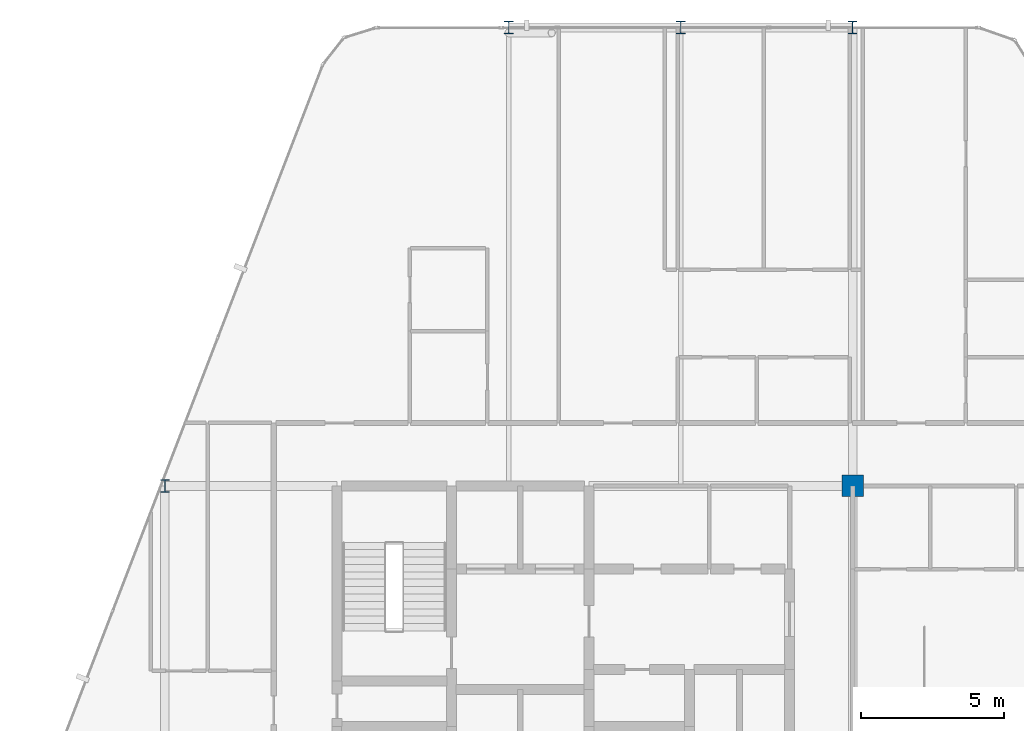
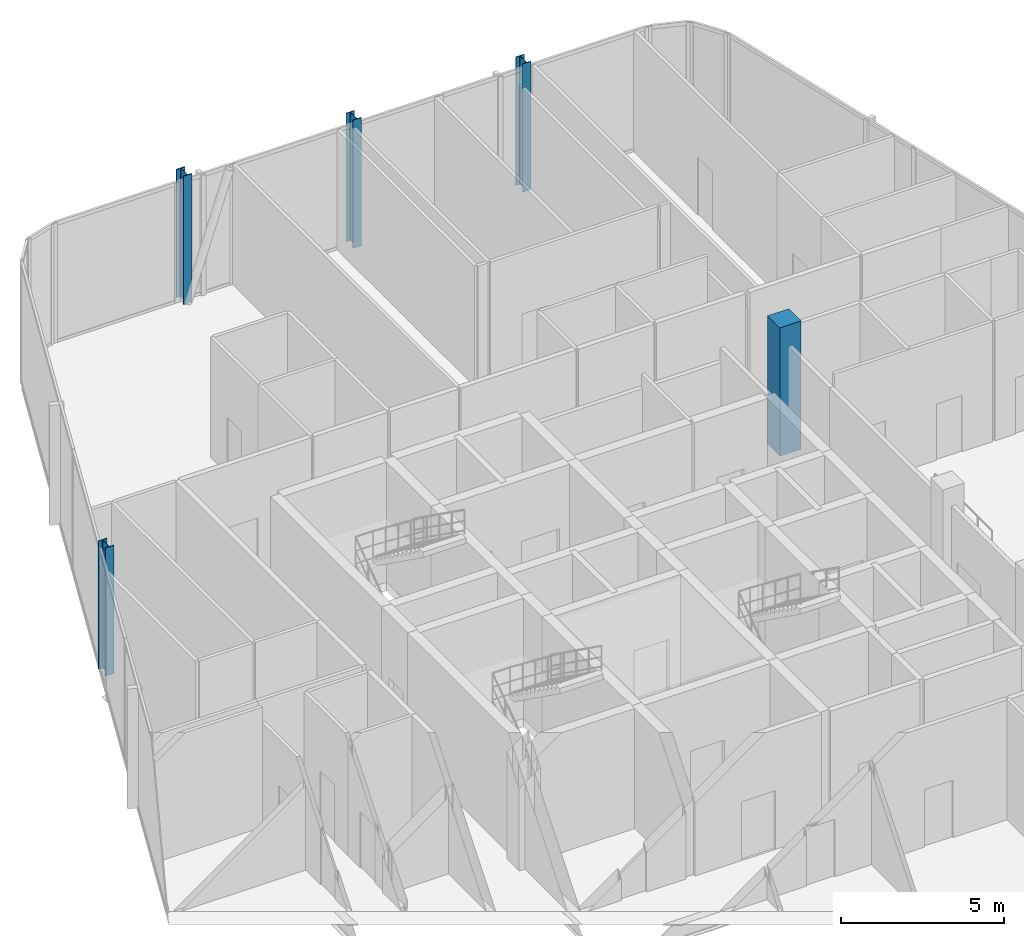
# One storey, part 3 of 29: 5 columns.
"""IFC4 building model written with IfcOpenShell, lengths in metres."""

from ifc_helpers import new_model, si_unit, direction, frame, origin, origin_2d, place, context, subcontext, project, spatial, rectangle, i_section, extrude, material, material_profile, profile_set, type_object, element, save


model = new_model("IFC4")

# Units and contexts
model_context = context("Model", 3, precision=1e-05, world=origin(), true_north=direction((0.0, 1.0)))
body_context = subcontext(model_context, "Body", "Model", "MODEL_VIEW")
ifc_project = project(units=[si_unit("LENGTHUNIT", "METRE"), si_unit("AREAUNIT", "SQUARE_METRE"), si_unit("VOLUMEUNIT", "CUBIC_METRE"), si_unit("PLANEANGLEUNIT", "RADIAN"), si_unit("MASSUNIT", "GRAM", prefix="KILO")], contexts=[model_context])

# Site, building, storey
site_placement = place(None, origin())
site = spatial("IfcSite", under=ifc_project, at=site_placement, CompositionType="ELEMENT")
building_placement = place(site_placement, origin())
building = spatial("IfcBuilding", under=site, at=building_placement, Name="Keshet Zoharim Tower", CompositionType="ELEMENT")
storey_placement = place(building_placement, frame((0.0, 0.0, 218.0)))
storey = spatial("IfcBuildingStorey", under=building, at=storey_placement, Name="L54", CompositionType="ELEMENT", Elevation=218.0)

# Columns
ifc_material_1 = material(Name="Steel S355", Category="steel")
ifc_material_profile_1 = material_profile(ifc_material_1, i_section(OverallWidth=0.300048828125, OverallDepth=0.449951171875, WebThickness=0.013916015625, FlangeThickness=0.02587890625, FilletRadius=0.027099609375, at=origin_2d()), Name="HEB450")
ifc_profile_set_1 = profile_set([ifc_material_profile_1], Name="Steel S355")
column_type_1 = type_object("IfcColumnType", Name="COL-HEB450", PredefinedType="COLUMN", material=ifc_profile_set_1)
for number, where, z_axis, x_axis, name in (
    (1, (9.0, 37.89990234375, 0.0), (0.0, 0.0, 1.0), (1.0, 0.0, 0.0), "L54 Column 2H"),
    (2, (21.0, 53.89990234375, 0.0), (0.0, 0.0, 1.0), (1.0, 0.0, 0.0), "L54 Column 4L"),
    (3, (27.0, 53.89990234375, 0.0), (0.0, 0.0, 1.0), (1.0, 0.0, 0.0), "L54 Column 5L"),
    (4, (33.0, 53.89990234375, 0.0), (0.0, 0.0, 1.0), (1.0, 0.0, 0.0), "L54 Column 6L"),
):
    element("IfcColumn", number, at=place(storey_placement, frame(where, z_axis=z_axis, x_axis=x_axis)), inside=storey, type_object=column_type_1, Name=name, PredefinedType="COLUMN", context=body_context, shape_type="SweptSolid", body=[
        extrude(i_section(OverallWidth=0.300048828125, OverallDepth=0.449951171875, WebThickness=0.013916015625, FlangeThickness=0.02587890625, FilletRadius=0.027099609375, at=origin_2d()), origin(), (0.0, 0.0, 1.0), 4.800048828125),
    ])
ifc_material_2 = material(Name="Concrete C50/60", Category="concrete")
ifc_material_profile_2 = material_profile(ifc_material_2, rectangle(XDim=0.75, YDim=0.75, at=origin_2d()), Name="RC750x750")
ifc_profile_set_2 = profile_set([ifc_material_profile_2], Name="Concrete C50/60")
column_type_2 = type_object("IfcColumnType", Name="COL-RC750", PredefinedType="COLUMN", material=ifc_profile_set_2)
column_placement = place(storey_placement, frame((33.0, 37.89990234375, 0.0), z_axis=(0.0, 0.0, 1.0), x_axis=(1.0, 0.0, 0.0)))
element("IfcColumn", 5, at=column_placement, inside=storey, type_object=column_type_2, Name="L54 Column 6H", PredefinedType="COLUMN", context=body_context, shape_type="SweptSolid", body=[
    extrude(rectangle(XDim=0.75, YDim=0.75, at=origin_2d()), origin(), (0.0, 0.0, 1.0), 4.800048828125),
])

save(model, "model.ifc")
